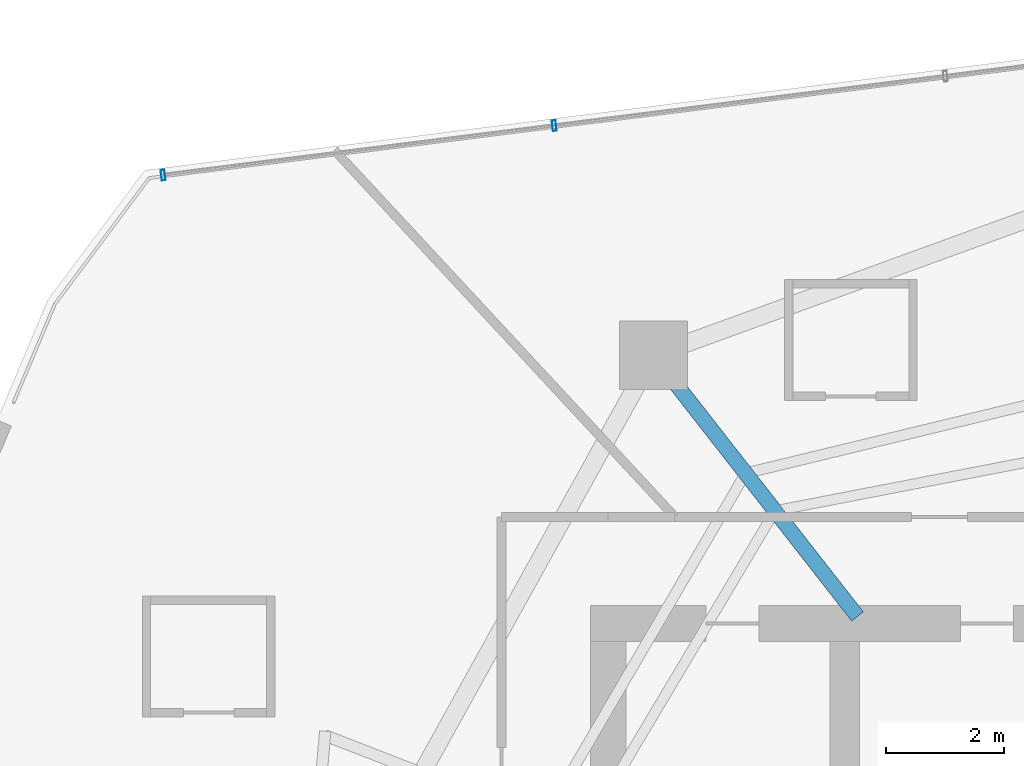
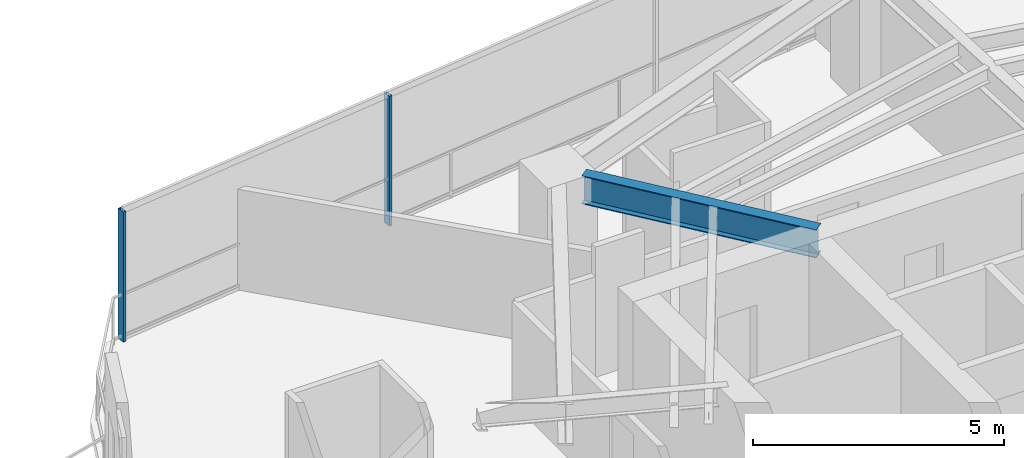
# One storey, part 16 of 30: 2 members, 1 beam, 1 element without a shape of its own.
"""IFC4 building model written with IfcOpenShell, lengths in metres."""

from ifc_helpers import new_model, si_unit, direction, frame, origin, origin_2d, place, context, subcontext, project, spatial, hollow_rectangle, i_section, extrude, material, layer, layer_set, material_profile, profile_set, type_object, element, aggregate, save


model = new_model("IFC4")

# Units and contexts
model_context = context("Model", 3, precision=1e-05, world=origin(), true_north=direction((0.0, 1.0)))
body_context = subcontext(model_context, "Body", "Model", "MODEL_VIEW")
ifc_project = project(units=[si_unit("LENGTHUNIT", "METRE"), si_unit("AREAUNIT", "SQUARE_METRE"), si_unit("VOLUMEUNIT", "CUBIC_METRE"), si_unit("PLANEANGLEUNIT", "RADIAN"), si_unit("MASSUNIT", "GRAM", prefix="KILO")], contexts=[model_context])

# Site, building, storey
site_placement = place(None, origin())
site = spatial("IfcSite", under=ifc_project, at=site_placement, CompositionType="ELEMENT")
building_placement = place(site_placement, origin())
building = spatial("IfcBuilding", under=site, at=building_placement, Name="Qarnah Convention Tower", CompositionType="ELEMENT")
storey_placement = place(building_placement, frame((0.0, 0.0, 93.60009765625)))
storey = spatial("IfcBuildingStorey", under=building, at=storey_placement, Name="L24", CompositionType="ELEMENT", Elevation=93.60009765625)

# Beam
ifc_material_1 = material(Name="Structural steel S355JR", Category="steel")
ifc_material_profile_1 = material_profile(ifc_material_1, i_section(OverallWidth=0.25390625, OverallDepth=0.68798828125, WebThickness=0.012939453125, FlangeThickness=0.02099609375, at=origin_2d()), Name="W690X152")
ifc_profile_set_1 = profile_set([ifc_material_profile_1], Name="Structural steel S355JR")
beam_type = type_object("IfcBeamType", Name="BM-RAD-W690", PredefinedType="BEAM", material=ifc_profile_set_1)
beam_placement = place(storey_placement, frame((31.013916015625, 34.318115234375, 2.825927734375), z_axis=(-0.61565061353, 0.788019239651, 0.0), x_axis=(-0.788019239651, -0.61565061353, 0.0)))
element("IfcBeam", 1, at=beam_placement, inside=storey, type_object=beam_type, Name="L24 beam BM-L24-RAD-04", PredefinedType="BEAM", context=body_context, shape_type="SweptSolid", body=[
    extrude(i_section(OverallWidth=0.25390625, OverallDepth=0.68798828125, WebThickness=0.012939453125, FlangeThickness=0.02099609375, at=origin_2d()), origin(), (0.0, 0.0, 1.0), 5.046630859375),
])

# Curtain wall, members
ifc_material_2 = material(Name="Tempered Low-E dark glass", Category="glass")
ifc_layer = layer(ifc_material_2, 0.169921875)
ifc_layer_set = layer_set([ifc_layer], Name="Tempered Low-E dark glass")
curtain_wall_type = type_object("IfcCurtainWallType", Name="CWS-02", PredefinedType="NOTDEFINED", material=ifc_layer_set)
curtain_wall_placement = place(storey_placement, origin())
curtain_wall = element("IfcCurtainWall", 2, at=curtain_wall_placement, inside=storey, type_object=curtain_wall_type, Name="L24 unitised curtain wall CW-L24-F1", PredefinedType="NOTDEFINED")
ifc_material_3 = material(Name="Black anodised aluminium", Category="aluminium")
ifc_material_profile_2 = material_profile(ifc_material_3, hollow_rectangle(XDim=0.06494140625, YDim=0.179931640625, WallThickness=0.00390625, at=origin_2d()), Name="MUL-65X180")
ifc_profile_set_2 = profile_set([ifc_material_profile_2], Name="Black anodised aluminium")
member_type = type_object("IfcMemberType", Name="MUL-T2", PredefinedType="MULLION", material=ifc_profile_set_2)
member_1_placement = place(storey_placement, frame((19.281982421875, 41.77587890625, 0.0), z_axis=(0.0, 0.0, 1.0), x_axis=(0.992119561144, 0.125294758056, 0.0)))
member_1 = element("IfcMember", 3, at=member_1_placement, type_object=member_type, Name="CW-L24-F1 mullion 1", PredefinedType="MULLION", context=body_context, shape_type="SweptSolid", body=[
    extrude(hollow_rectangle(XDim=0.06494140625, YDim=0.179931640625, WallThickness=0.00390625, at=origin_2d()), origin(), (0.0, 0.0, 1.0), 3.169921875),
])
member_2_placement = place(storey_placement, frame((25.890625, 42.610595703125, 0.0), z_axis=(0.0, 0.0, 1.0), x_axis=(0.992119561144, 0.125294758056, 0.0)))
member_2 = element("IfcMember", 4, at=member_2_placement, type_object=member_type, Name="CW-L24-F1 mullion 2", PredefinedType="MULLION", context=body_context, shape_type="SweptSolid", body=[
    extrude(hollow_rectangle(XDim=0.06494140625, YDim=0.179931640625, WallThickness=0.00390625, at=origin_2d()), origin(), (0.0, 0.0, 1.0), 3.169921875),
])
aggregate(curtain_wall, [member_1, member_2])

save(model, "model.ifc")
